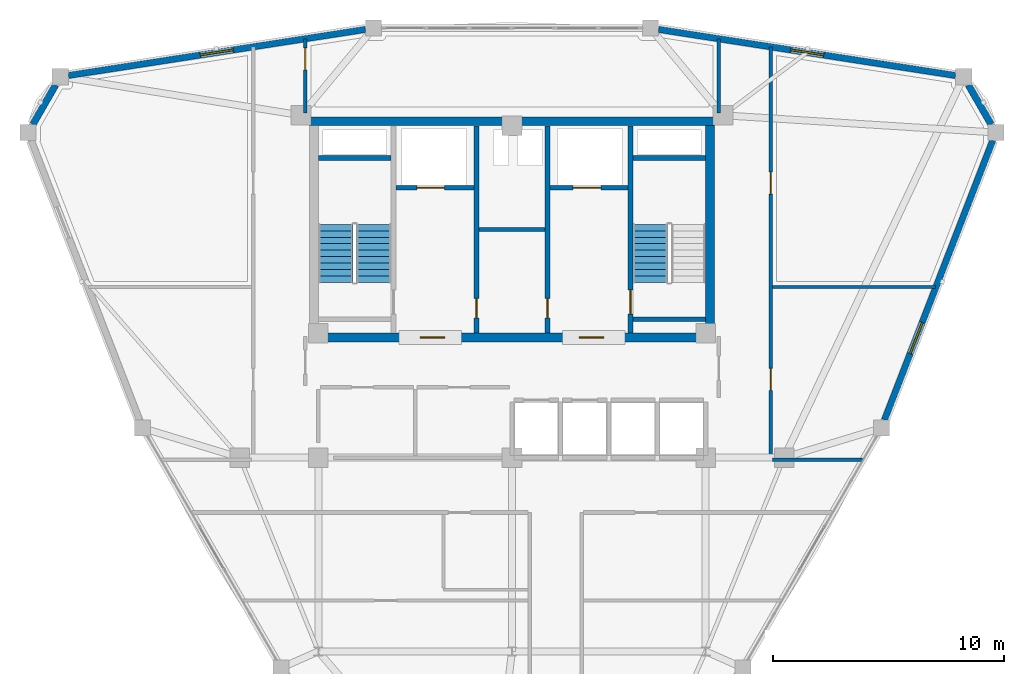
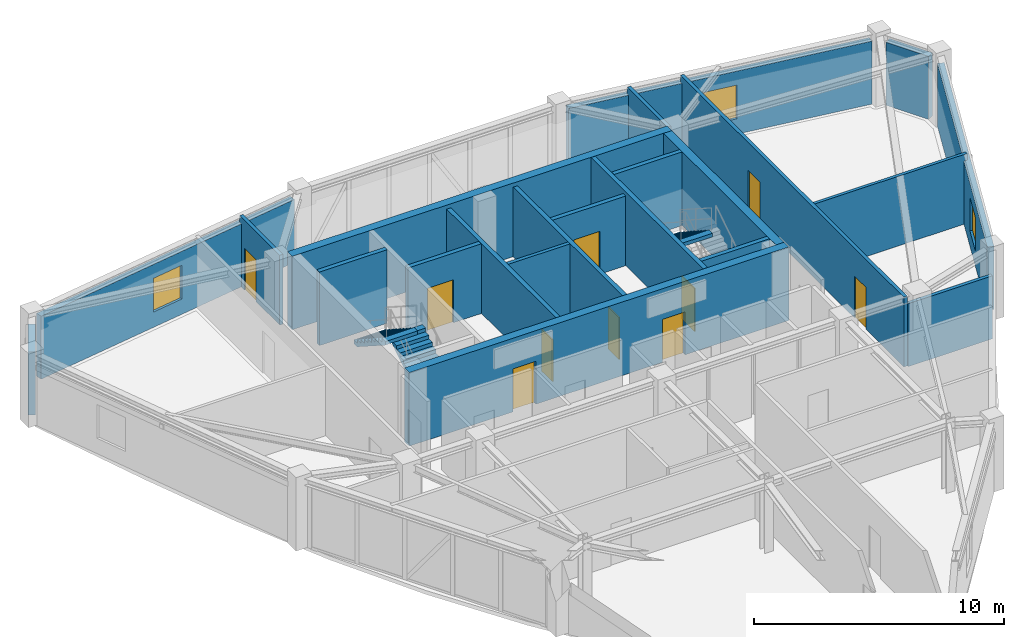
# One storey, part 12 of 15: 22 walls, 10 doors, 3 stair flights, 3 windows, 13 openings, 2 elements without a shape of their own.
"""IFC4 building model written with IfcOpenShell, lengths in metres."""

from ifc_helpers import new_model, si_unit, derived_unit, direction, frame, frame_2d, origin, place, context, subcontext, project, spatial, polyline, rectangle, outline, extrude, material, layer, layer_set, type_object, element, fill, aggregate, save


model = new_model("IFC4")

# Units and contexts
model_context = context("Model", 3, precision=1e-05, world=origin(), true_north=direction((0.0, 1.0)))
body_context = subcontext(model_context, "Body", "Model", "MODEL_VIEW")
ifc_project = project(units=[si_unit("LENGTHUNIT", "METRE"), si_unit("AREAUNIT", "SQUARE_METRE"), si_unit("VOLUMEUNIT", "CUBIC_METRE"), si_unit("PLANEANGLEUNIT", "RADIAN"), si_unit("MASSUNIT", "GRAM", prefix="KILO"), derived_unit("THERMALTRANSMITTANCEUNIT", [(si_unit("POWERUNIT", "WATT"), 1), (si_unit("LENGTHUNIT", "METRE"), -2), (si_unit("THERMODYNAMICTEMPERATUREUNIT", "KELVIN"), -1)])], contexts=[model_context])

# Site, building, storey
site_placement = place(None, origin())
site = spatial("IfcSite", under=ifc_project, at=site_placement, CompositionType="ELEMENT")
building_placement = place(site_placement, origin())
building = spatial("IfcBuilding", under=site, at=building_placement, Name="Korsvarv Bourse and Concert Hall", CompositionType="ELEMENT")
storey_placement = place(building_placement, frame((0.0, 0.0, 246.60009765625)))
storey = spatial("IfcBuildingStorey", under=building, at=storey_placement, Name="L64", CompositionType="ELEMENT", Elevation=246.60009765625)

# Wall
ifc_material_1 = material(Name="Concrete C50/60", Category="concrete")
ifc_layer_1 = layer(ifc_material_1, 0.3798828125)
ifc_layer_set_1 = layer_set([ifc_layer_1], Name="Concrete C50/60")
wall_type_1 = type_object("IfcWallType", Name="WL-CORE-380", PredefinedType="SHEAR", material=ifc_layer_set_1)
wall_1_placement = place(storey_placement, frame((27.219970703125, 46.989990234375, 0.0), z_axis=(0.0, 0.0, 1.0), x_axis=(1.0, 0.0, 0.0)))
element("IfcWall", 1, at=wall_1_placement, inside=storey, type_object=wall_type_1, Name="L64 North Core Shear Wall", PredefinedType="SHEAR", context=body_context, shape_type="SweptSolid", body=[
    extrude(rectangle(XDim=17.56005859375, YDim=0.3798828125, at=frame_2d((8.780029296875, 0.0))), origin(), (0.0, 0.0, 1.0), 3.599853515625),
])

# Wall, openings, doors
wall_2_placement = place(storey_placement, frame((27.219970703125, 37.610107421875, 0.0), z_axis=(0.0, 0.0, 1.0), x_axis=(1.0, 0.0, 0.0)))
wall_2 = element("IfcWall", 2, at=wall_2_placement, inside=storey, type_object=wall_type_1, Name="L64 South Core Shear Wall", PredefinedType="SHEAR", context=body_context, shape_type="SweptSolid", body=[
    extrude(rectangle(XDim=17.56005859375, YDim=0.3798828125, at=frame_2d((8.780029296875, 0.0))), origin(), (0.0, 0.0, 1.0), 3.599853515625),
])
opening_1_placement = place(wall_2_placement, frame((4.804931640625, 0.0, 0.0)))
opening_1 = element("IfcOpeningElement", 3, at=opening_1_placement, cuts=wall_2, Name="Opening D-01", PredefinedType="OPENING", context=body_context, shape_type="SweptSolid", body=[
    extrude(rectangle(XDim=1.050048828125, YDim=2.10009765625, at=frame_2d((0.52490234375, 1.050048828125))), frame((0.0, 0.199951171875, 0.0), z_axis=(0.0, -1.0, 0.0), x_axis=(1.0, 0.0, 0.0)), (0.0, 0.0, 1.0), 0.39990234375),
])
opening_2_placement = place(wall_2_placement, frame((11.705078125, 0.0, 0.0)))
opening_2 = element("IfcOpeningElement", 4, at=opening_2_placement, cuts=wall_2, Name="Opening D-01", PredefinedType="OPENING", context=body_context, shape_type="SweptSolid", body=[
    extrude(rectangle(XDim=1.050048828125, YDim=2.10009765625, at=frame_2d((0.52490234375, 1.050048828125))), frame((0.0, 0.199951171875, 0.0), z_axis=(0.0, -1.0, 0.0), x_axis=(1.0, 0.0, 0.0)), (0.0, 0.0, 1.0), 0.39990234375),
])
ifc_material_2 = material(Name="Steel S355 fire door", Category="steel")
door_type_1 = type_object("IfcDoorType", Name="DR-FD60", OperationType="NOTDEFINED", PredefinedType="DOOR", material=ifc_material_2)
door_1_placement = place(opening_1_placement, frame((1.050048828125, 0.0, 0.0), z_axis=(0.0, 0.0, 1.0), x_axis=(-1.0, 0.0, 0.0)))
door_1 = element("IfcDoor", 5, at=door_1_placement, inside=storey, type_object=door_type_1, Name="L64 firefighting lobby fire door DR-L64-FFLW", OperationType="SINGLE_SWING_RIGHT", OverallHeight=2.10009765625, OverallWidth=1.050048828125, PredefinedType="DOOR", context=body_context, shape_type="SweptSolid", body=[
    extrude(rectangle(XDim=1.050048828125, YDim=2.10009765625, at=frame_2d((0.52490234375, 1.050048828125))), frame((0.0, 0.02490234375, 0.0), z_axis=(0.0, -1.0, 0.0), x_axis=(1.0, 0.0, 0.0)), (0.0, 0.0, 1.0), 0.050048828125),
])
fill(opening_1, door_1)
door_2_placement = place(opening_2_placement, frame((1.050048828125, 0.0, 0.0), z_axis=(0.0, 0.0, 1.0), x_axis=(-1.0, 0.0, 0.0)))
door_2 = element("IfcDoor", 6, at=door_2_placement, inside=storey, type_object=door_type_1, Name="L64 firefighting lobby fire door DR-L64-FFLE", OperationType="SINGLE_SWING_LEFT", OverallHeight=2.10009765625, OverallWidth=1.050048828125, PredefinedType="DOOR", context=body_context, shape_type="SweptSolid", body=[
    extrude(rectangle(XDim=1.050048828125, YDim=2.10009765625, at=frame_2d((0.52490234375, 1.050048828125))), frame((0.0, 0.02490234375, 0.0), z_axis=(0.0, -1.0, 0.0), x_axis=(1.0, 0.0, 0.0)), (0.0, 0.0, 1.0), 0.050048828125),
])
fill(opening_2, door_2)

# Walls
wall_3_placement = place(storey_placement, frame((44.590087890625, 37.800048828125, 0.0), z_axis=(0.0, 0.0, 1.0), x_axis=(0.0, 1.0, 0.0)))
element("IfcWall", 7, at=wall_3_placement, inside=storey, type_object=wall_type_1, Name="L64 East Core Shear Wall", PredefinedType="SHEAR", context=body_context, shape_type="SweptSolid", body=[
    extrude(rectangle(XDim=9.0, YDim=0.3798828125, at=frame_2d((4.5, 0.0))), origin(), (0.0, 0.0, 1.0), 3.599853515625),
])
wall_4_placement = place(storey_placement, frame((27.610107421875, 45.39990234375, 0.0), z_axis=(0.0, 0.0, 1.0), x_axis=(1.0, 0.0, 0.0)))
element("IfcWall", 8, at=wall_4_placement, inside=storey, type_object=wall_type_1, Name="L64 stair shaft structural wall W-L64-ST1-N", PredefinedType="SHEAR", context=body_context, shape_type="SweptSolid", body=[
    extrude(rectangle(XDim=3.139892578125, YDim=0.199951171875, at=frame_2d((1.56982421875, 0.0))), origin(), (0.0, 0.0, 1.0), 3.599853515625),
])

# Wall, opening, door
wall_5_placement = place(storey_placement, frame((41.139892578125, 37.81005859375, 0.0), z_axis=(0.0, 0.0, 1.0), x_axis=(0.0, 1.0, 0.0)))
wall_5 = element("IfcWall", 9, at=wall_5_placement, inside=storey, type_object=wall_type_1, Name="L64 stair shaft structural wall W-L64-ST2-W", PredefinedType="SHEAR", context=body_context, shape_type="SweptSolid", body=[
    extrude(rectangle(XDim=8.97998046875, YDim=0.199951171875, at=frame_2d((4.489990234375, 0.0))), origin(), (0.0, 0.0, 1.0), 3.599853515625),
])
opening_3_placement = place(wall_5_placement, frame((0.820068359375, 0.0, 0.0)))
opening_3 = element("IfcOpeningElement", 10, at=opening_3_placement, cuts=wall_5, Name="Opening D-01", PredefinedType="OPENING", context=body_context, shape_type="SweptSolid", body=[
    extrude(rectangle(XDim=1.050048828125, YDim=2.10009765625, at=frame_2d((0.52490234375, 1.050048828125))), frame((0.0, 0.10986328125, 0.0), z_axis=(0.0, -1.0, 0.0), x_axis=(1.0, 0.0, 0.0)), (0.0, 0.0, 1.0), 0.219970703125),
])
door_3_placement = place(opening_3_placement, frame((1.050048828125, 0.0, 0.0), z_axis=(0.0, 0.0, 1.0), x_axis=(-1.0, 0.0, 0.0)))
door_3 = element("IfcDoor", 11, at=door_3_placement, inside=storey, type_object=door_type_1, Name="L64 interior door DR-L64-ST2", OperationType="SINGLE_SWING_LEFT", OverallHeight=2.10009765625, OverallWidth=1.050048828125, PredefinedType="DOOR", context=body_context, shape_type="SweptSolid", body=[
    extrude(rectangle(XDim=1.050048828125, YDim=2.10009765625, at=frame_2d((0.52490234375, 1.050048828125))), frame((0.0, 0.02490234375, 0.0), z_axis=(0.0, -1.0, 0.0), x_axis=(1.0, 0.0, 0.0)), (0.0, 0.0, 1.0), 0.050048828125),
])
fill(opening_3, door_3)

# Walls
for number, where, z_axis, x_axis, name in (
    (12, (41.25, 45.39990234375, 0.0), (0.0, 0.0, 1.0), (1.0, 0.0, 0.0), "L64 stair shaft structural wall W-L64-ST2-N"),
    (13, (41.25, 38.39990234375, 0.0), (0.0, 0.0, 1.0), (1.0, 0.0, 0.0), "L64 stair shaft structural wall W-L64-ST2-S"),
):
    element("IfcWall", number, at=place(storey_placement, frame(where, z_axis=z_axis, x_axis=x_axis)), inside=storey, type_object=wall_type_1, Name=name, PredefinedType="SHEAR", context=body_context, shape_type="SweptSolid", body=[
        extrude(rectangle(XDim=3.139892578125, YDim=0.199951171875, at=frame_2d((1.56982421875, 0.0))), origin(), (0.0, 0.0, 1.0), 3.599853515625),
    ])
ifc_material_3 = material(Name="Precast concrete C45/55 with terracotta rainscreen", Category="concrete")
ifc_layer_2 = layer(ifc_material_3, 0.300048828125)
ifc_layer_set_2 = layer_set([ifc_layer_2], Name="Precast concrete C45/55 with terracotta rainscreen")
wall_type_2 = type_object("IfcWallType", Name="WL-EXT-TC1", PredefinedType="SOLIDWALL", material=ifc_layer_set_2)
for number, where, z_axis, x_axis, name in (
    (14, (56.78271484375, 46.858642578125, 0.0), (0.0, 0.0, 1.0), (-0.499915072674, 0.866074431047, 0.0), "L64 terracotta exterior wall EW-L64-B01"),
    (15, (16.20458984375, 48.569091796875, 0.0), (0.0, 0.0, 1.0), (-0.499915072674, -0.866074431047, 0.0), "L64 terracotta exterior wall EW-L64-B05"),
):
    element("IfcWall", number, at=place(storey_placement, frame(where, z_axis=z_axis, x_axis=x_axis)), inside=storey, type_object=wall_type_2, Name=name, PredefinedType="SOLIDWALL", context=body_context, shape_type="SweptSolid", body=[
        extrude(rectangle(XDim=1.974853515625, YDim=0.300048828125, at=frame_2d((0.9873046875, 0.0))), origin(), (0.0, 0.0, 1.0), 3.079833984375),
    ])

# Wall, opening, window
ifc_material_4 = material(Name="Precast concrete C45/55 with fluted terracotta pier", Category="concrete")
ifc_layer_3 = layer(ifc_material_4, 0.280029296875)
ifc_layer_set_3 = layer_set([ifc_layer_3], Name="Precast concrete C45/55 with fluted terracotta pier")
wall_type_3 = type_object("IfcWallType", Name="WL-EXT-TC2", PredefinedType="SOLIDWALL", material=ifc_layer_set_3)
wall_6_placement = place(storey_placement, frame((55.2353515625, 48.979248046875, 0.0), z_axis=(0.0, 0.0, 1.0), x_axis=(-0.988170476673, 0.153359411293, 0.0)))
wall_6 = element("IfcWall", 16, at=wall_6_placement, inside=storey, type_object=wall_type_3, Name="L64 terracotta exterior wall EW-L64-B02", PredefinedType="SOLIDWALL", context=body_context, shape_type="SweptSolid", body=[
    extrude(rectangle(XDim=13.030029296875, YDim=0.280029296875, at=frame_2d((6.51513671875, 0.0))), origin(), (0.0, 0.0, 1.0), 3.079833984375),
])
opening_4_placement = place(wall_6_placement, frame((5.7900390625, 0.0, 0.75)))
opening_4 = element("IfcOpeningElement", 17, at=opening_4_placement, cuts=wall_6, Name="Opening W-02", PredefinedType="OPENING", context=body_context, shape_type="SweptSolid", body=[
    extrude(rectangle(XDim=1.449951171875, YDim=1.64990234375, at=frame_2d((0.72509765625, 0.824951171875))), frame((0.0, 0.14990234375, 0.0), z_axis=(0.0, -1.0, 0.0), x_axis=(1.0, 0.0, 0.0)), (0.0, 0.0, 1.0), 0.300048828125),
])
ifc_material_5 = material(Name="Thermally broken aluminium frame with triple low-E glass", Category="glass")
window_type = type_object("IfcWindowType", Name="WIN-TW2", PartitioningType="SINGLE_PANEL", PredefinedType="WINDOW", material=ifc_material_5)
window_1_placement = place(opening_4_placement, origin())
window_1 = element("IfcWindow", 18, at=window_1_placement, inside=storey, type_object=window_type, Name="L64 punched facade window W-02", OverallHeight=1.64990234375, OverallWidth=1.449951171875, PartitioningType="SINGLE_PANEL", PredefinedType="WINDOW", context=body_context, shape_type="SweptSolid", body=[
    extrude(rectangle(XDim=1.449951171875, YDim=1.64990234375, at=frame_2d((0.72509765625, 0.824951171875))), frame((0.0, 0.030029296875, 0.0), z_axis=(0.0, -1.0, 0.0), x_axis=(1.0, 0.0, 0.0)), (0.0, 0.0, 1.0), 0.06005859375),
])
fill(opening_4, window_1)

wall_7_placement = place(storey_placement, frame((29.640625, 50.9775390625, 0.0), z_axis=(0.0, 0.0, 1.0), x_axis=(-0.988170476673, -0.153359411293, 0.0)))
wall_7 = element("IfcWall", 19, at=wall_7_placement, inside=storey, type_object=wall_type_3, Name="L64 terracotta exterior wall EW-L64-B04", PredefinedType="SOLIDWALL", context=body_context, shape_type="SweptSolid", body=[
    extrude(rectangle(XDim=13.030029296875, YDim=0.280029296875, at=frame_2d((6.51513671875, 0.0))), origin(), (0.0, 0.0, 1.0), 3.079833984375),
])
opening_5_placement = place(wall_7_placement, frame((5.7900390625, 0.0, 0.75)))
opening_5 = element("IfcOpeningElement", 20, at=opening_5_placement, cuts=wall_7, Name="Opening W-02", PredefinedType="OPENING", context=body_context, shape_type="SweptSolid", body=[
    extrude(rectangle(XDim=1.449951171875, YDim=1.64990234375, at=frame_2d((0.72509765625, 0.824951171875))), frame((0.0, 0.14990234375, 0.0), z_axis=(0.0, -1.0, 0.0), x_axis=(1.0, 0.0, 0.0)), (0.0, 0.0, 1.0), 0.300048828125),
])
window_2_placement = place(opening_5_placement, origin())
window_2 = element("IfcWindow", 21, at=window_2_placement, inside=storey, type_object=window_type, Name="L64 punched facade window W-02", OverallHeight=1.64990234375, OverallWidth=1.449951171875, PartitioningType="SINGLE_PANEL", PredefinedType="WINDOW", context=body_context, shape_type="SweptSolid", body=[
    extrude(rectangle(XDim=1.449951171875, YDim=1.64990234375, at=frame_2d((0.72509765625, 0.824951171875))), frame((0.0, 0.030029296875, 0.0), z_axis=(0.0, -1.0, 0.0), x_axis=(1.0, 0.0, 0.0)), (0.0, 0.0, 1.0), 0.06005859375),
])
fill(opening_5, window_2)

wall_8_placement = place(storey_placement, frame((52.158447265625, 34.03857421875, 0.0), z_axis=(0.0, 0.0, 1.0), x_axis=(0.361269378379, 0.93246149317, 0.0)))
wall_8 = element("IfcWall", 22, at=wall_8_placement, inside=storey, type_object=wall_type_3, Name="L64 terracotta exterior wall EW-L64-B12", PredefinedType="SOLIDWALL", context=body_context, shape_type="SweptSolid", body=[
    extrude(rectangle(XDim=12.9873046875, YDim=0.280029296875, at=frame_2d((6.49365234375, 0.0))), origin(), (0.0, 0.0, 1.0), 3.079833984375),
])
opening_6_placement = place(wall_8_placement, frame((3.084228515625, 0.0, 0.75)))
opening_6 = element("IfcOpeningElement", 23, at=opening_6_placement, cuts=wall_8, Name="Opening W-02", PredefinedType="OPENING", context=body_context, shape_type="SweptSolid", body=[
    extrude(rectangle(XDim=1.449951171875, YDim=1.64990234375, at=frame_2d((0.72509765625, 0.824951171875))), frame((0.0, 0.14990234375, 0.0), z_axis=(0.0, -1.0, 0.0), x_axis=(1.0, 0.0, 0.0)), (0.0, 0.0, 1.0), 0.300048828125),
])
window_3_placement = place(opening_6_placement, origin())
window_3 = element("IfcWindow", 24, at=window_3_placement, inside=storey, type_object=window_type, Name="L64 punched facade window W-02", OverallHeight=1.64990234375, OverallWidth=1.449951171875, PartitioningType="SINGLE_PANEL", PredefinedType="WINDOW", context=body_context, shape_type="SweptSolid", body=[
    extrude(rectangle(XDim=1.449951171875, YDim=1.64990234375, at=frame_2d((0.72509765625, 0.824951171875))), frame((0.0, 0.030029296875, 0.0), z_axis=(0.0, -1.0, 0.0), x_axis=(1.0, 0.0, 0.0)), (0.0, 0.0, 1.0), 0.06005859375),
])
fill(opening_6, window_3)

# Wall, opening, door
ifc_material_6 = material(Name="Reinforced concrete blockwork C35/45 fire wall", Category="concrete")
ifc_layer_4 = layer(ifc_material_6, 0.199951171875)
ifc_layer_set_4 = layer_set([ifc_layer_4], Name="Reinforced concrete blockwork C35/45 fire wall")
wall_type_4 = type_object("IfcWallType", Name="WL-INT-EI120", PredefinedType="PARTITIONING", material=ifc_layer_set_4)
wall_9_placement = place(storey_placement, frame((30.969970703125, 44.10009765625, 0.0), z_axis=(0.0, 0.0, 1.0), x_axis=(1.0, 0.0, 0.0)))
wall_9 = element("IfcWall", 25, at=wall_9_placement, inside=storey, type_object=wall_type_4, Name="L64 interior partition wall W-L64-FF1-S", PredefinedType="PARTITIONING", context=body_context, shape_type="SweptSolid", body=[
    extrude(rectangle(XDim=3.380126953125, YDim=0.199951171875, at=frame_2d((1.68994140625, 0.0))), origin(), (0.0, 0.0, 1.0), 3.409912109375),
])
opening_7_placement = place(wall_9_placement, frame((0.89990234375, 0.0, 0.0)))
opening_7 = element("IfcOpeningElement", 26, at=opening_7_placement, cuts=wall_9, Name="Opening LD-1", PredefinedType="OPENING", context=body_context, shape_type="SweptSolid", body=[
    extrude(rectangle(XDim=1.199951171875, YDim=2.10009765625, at=frame_2d((0.60009765625, 1.050048828125))), frame((0.0, 0.10986328125, 0.0), z_axis=(0.0, -1.0, 0.0), x_axis=(1.0, 0.0, 0.0)), (0.0, 0.0, 1.0), 0.219970703125),
])
ifc_material_7 = material(Name="Stainless Steel S355 firefighting lift landing door", Category="steel")
door_type_2 = type_object("IfcDoorType", Name="DR-LIFT-FF", OperationType="DOUBLE_DOOR_SLIDING", PredefinedType="DOOR", material=ifc_material_7)
door_4_placement = place(opening_7_placement, origin())
door_4 = element("IfcDoor", 27, at=door_4_placement, inside=storey, type_object=door_type_2, Name="L64 lift sliding landing door LD-L64-FF1", OperationType="DOUBLE_DOOR_SLIDING", OverallHeight=2.10009765625, OverallWidth=1.199951171875, PredefinedType="DOOR", context=body_context, shape_type="SweptSolid", body=[
    extrude(rectangle(XDim=1.199951171875, YDim=2.10009765625, at=frame_2d((0.60009765625, 1.050048828125))), frame((0.0, 0.02490234375, 0.0), z_axis=(0.0, -1.0, 0.0), x_axis=(1.0, 0.0, 0.0)), (0.0, 0.0, 1.0), 0.050048828125),
])
fill(opening_7, door_4)

wall_10_placement = place(storey_placement, frame((37.64990234375, 44.10009765625, 0.0), z_axis=(0.0, 0.0, 1.0), x_axis=(1.0, 0.0, 0.0)))
wall_10 = element("IfcWall", 28, at=wall_10_placement, inside=storey, type_object=wall_type_4, Name="L64 interior partition wall W-L64-FF2-S", PredefinedType="PARTITIONING", context=body_context, shape_type="SweptSolid", body=[
    extrude(rectangle(XDim=3.380126953125, YDim=0.199951171875, at=frame_2d((1.68994140625, 0.0))), origin(), (0.0, 0.0, 1.0), 3.409912109375),
])
opening_8_placement = place(wall_10_placement, frame((1.0, 0.0, 0.0)))
opening_8 = element("IfcOpeningElement", 29, at=opening_8_placement, cuts=wall_10, Name="Opening LD-1", PredefinedType="OPENING", context=body_context, shape_type="SweptSolid", body=[
    extrude(rectangle(XDim=1.199951171875, YDim=2.10009765625, at=frame_2d((0.60009765625, 1.050048828125))), frame((0.0, 0.10986328125, 0.0), z_axis=(0.0, -1.0, 0.0), x_axis=(1.0, 0.0, 0.0)), (0.0, 0.0, 1.0), 0.219970703125),
])
door_5_placement = place(opening_8_placement, origin())
door_5 = element("IfcDoor", 30, at=door_5_placement, inside=storey, type_object=door_type_2, Name="L64 lift sliding landing door LD-L64-FF2", OperationType="DOUBLE_DOOR_SLIDING", OverallHeight=2.10009765625, OverallWidth=1.199951171875, PredefinedType="DOOR", context=body_context, shape_type="SweptSolid", body=[
    extrude(rectangle(XDim=1.199951171875, YDim=2.10009765625, at=frame_2d((0.60009765625, 1.050048828125))), frame((0.0, 0.02490234375, 0.0), z_axis=(0.0, -1.0, 0.0), x_axis=(1.0, 0.0, 0.0)), (0.0, 0.0, 1.0), 0.050048828125),
])
fill(opening_8, door_5)

wall_11_placement = place(storey_placement, frame((34.4599609375, 37.81005859375, 0.0), z_axis=(0.0, 0.0, 1.0), x_axis=(0.0, 1.0, 0.0)))
wall_11 = element("IfcWall", 31, at=wall_11_placement, inside=storey, type_object=wall_type_4, Name="L64 interior partition wall W-L64-CSB-W", PredefinedType="PARTITIONING", context=body_context, shape_type="SweptSolid", body=[
    extrude(rectangle(XDim=8.97998046875, YDim=0.199951171875, at=frame_2d((4.489990234375, 0.0))), origin(), (0.0, 0.0, 1.0), 3.409912109375),
])
opening_9_placement = place(wall_11_placement, frame((0.64990234375, 0.0, 0.0)))
opening_9 = element("IfcOpeningElement", 32, at=opening_9_placement, cuts=wall_11, Name="Opening D-05", PredefinedType="OPENING", context=body_context, shape_type="SweptSolid", body=[
    extrude(rectangle(XDim=0.85009765625, YDim=2.050048828125, at=frame_2d((0.425048828125, 1.02490234375))), frame((0.0, 0.10986328125, 0.0), z_axis=(0.0, -1.0, 0.0), x_axis=(1.0, 0.0, 0.0)), (0.0, 0.0, 1.0), 0.219970703125),
])
door_type_3 = type_object("IfcDoorType", Name="DR-FD60-850X2050", OperationType="NOTDEFINED", PredefinedType="DOOR", material=ifc_material_2)
door_6_placement = place(opening_9_placement, frame((0.85009765625, 0.0, 0.0), z_axis=(0.0, 0.0, 1.0), x_axis=(-1.0, 0.0, 0.0)))
door_6 = element("IfcDoor", 33, at=door_6_placement, inside=storey, type_object=door_type_3, Name="L64 interior door DR-L64-CSB1", OperationType="SINGLE_SWING_RIGHT", OverallHeight=2.050048828125, OverallWidth=0.85009765625, PredefinedType="DOOR", context=body_context, shape_type="SweptSolid", body=[
    extrude(rectangle(XDim=0.85009765625, YDim=2.050048828125, at=frame_2d((0.425048828125, 1.02490234375))), frame((0.0, 0.02490234375, 0.0), z_axis=(0.0, -1.0, 0.0), x_axis=(1.0, 0.0, 0.0)), (0.0, 0.0, 1.0), 0.050048828125),
])
fill(opening_9, door_6)

wall_12_placement = place(storey_placement, frame((37.5400390625, 37.81005859375, 0.0), z_axis=(0.0, 0.0, 1.0), x_axis=(0.0, 1.0, 0.0)))
wall_12 = element("IfcWall", 34, at=wall_12_placement, inside=storey, type_object=wall_type_4, Name="L64 interior partition wall W-L64-CSB-E", PredefinedType="PARTITIONING", context=body_context, shape_type="SweptSolid", body=[
    extrude(rectangle(XDim=8.97998046875, YDim=0.199951171875, at=frame_2d((4.489990234375, 0.0))), origin(), (0.0, 0.0, 1.0), 3.409912109375),
])
opening_10_placement = place(wall_12_placement, frame((0.64990234375, 0.0, 0.0)))
opening_10 = element("IfcOpeningElement", 35, at=opening_10_placement, cuts=wall_12, Name="Opening D-05", PredefinedType="OPENING", context=body_context, shape_type="SweptSolid", body=[
    extrude(rectangle(XDim=0.85009765625, YDim=2.050048828125, at=frame_2d((0.425048828125, 1.02490234375))), frame((0.0, 0.10986328125, 0.0), z_axis=(0.0, -1.0, 0.0), x_axis=(1.0, 0.0, 0.0)), (0.0, 0.0, 1.0), 0.219970703125),
])
door_7_placement = place(opening_10_placement, origin())
door_7 = element("IfcDoor", 36, at=door_7_placement, inside=storey, type_object=door_type_3, Name="L64 interior door DR-L64-CSB2", OperationType="SINGLE_SWING_LEFT", OverallHeight=2.050048828125, OverallWidth=0.85009765625, PredefinedType="DOOR", context=body_context, shape_type="SweptSolid", body=[
    extrude(rectangle(XDim=0.85009765625, YDim=2.050048828125, at=frame_2d((0.425048828125, 1.02490234375))), frame((0.0, 0.02490234375, 0.0), z_axis=(0.0, -1.0, 0.0), x_axis=(1.0, 0.0, 0.0)), (0.0, 0.0, 1.0), 0.050048828125),
])
fill(opening_10, door_7)

# Wall
ifc_material_8 = material(Name="Double-stud fire-rated acoustic partition", Category="gypsum")
ifc_layer_5 = layer(ifc_material_8, 0.159912109375)
ifc_layer_set_5 = layer_set([ifc_layer_5], Name="Double-stud fire-rated acoustic partition")
wall_type_5 = type_object("IfcWallType", Name="WL-INT-EI60", PredefinedType="PARTITIONING", material=ifc_layer_set_5)
wall_13_placement = place(storey_placement, frame((34.570068359375, 42.300048828125, 0.0), z_axis=(0.0, 0.0, 1.0), x_axis=(1.0, 0.0, 0.0)))
element("IfcWall", 37, at=wall_13_placement, inside=storey, type_object=wall_type_5, Name="L64 interior partition wall W-L64-K1", PredefinedType="PARTITIONING", context=body_context, shape_type="SweptSolid", body=[
    extrude(rectangle(XDim=2.85986328125, YDim=0.159912109375, at=frame_2d((1.429931640625, 0.0))), origin(), (0.0, 0.0, 1.0), 3.409912109375),
])

# Wall, openings, doors
wall_14_placement = place(storey_placement, frame((47.22509765625, 32.31005859375, 0.0), z_axis=(0.0, 0.0, 1.0), x_axis=(0.0, 1.0, 0.0)))
wall_14 = element("IfcWall", 38, at=wall_14_placement, inside=storey, type_object=wall_type_5, Name="L64 interior partition wall W-L64-TCOR-01", PredefinedType="PARTITIONING", context=body_context, shape_type="SweptSolid", body=[
    extrude(rectangle(XDim=17.892333984375, YDim=0.159912109375, at=frame_2d((8.9462890625, 0.0))), origin(), (0.0, 0.0, 1.0), 3.409912109375),
])
opening_11_placement = place(wall_14_placement, frame((3.01416015625, 0.0, 0.0)))
opening_11 = element("IfcOpeningElement", 39, at=opening_11_placement, cuts=wall_14, Name="Opening D-02", PredefinedType="OPENING", context=body_context, shape_type="SweptSolid", body=[
    extrude(rectangle(XDim=0.949951171875, YDim=2.050048828125, at=frame_2d((0.47509765625, 1.02490234375))), frame((0.0, 0.08984375, 0.0), z_axis=(0.0, -1.0, 0.0), x_axis=(1.0, 0.0, 0.0)), (0.0, 0.0, 1.0), 0.179931640625),
])
opening_12_placement = place(wall_14_placement, frame((11.52392578125, 0.0, 0.0)))
opening_12 = element("IfcOpeningElement", 40, at=opening_12_placement, cuts=wall_14, Name="Opening D-02", PredefinedType="OPENING", context=body_context, shape_type="SweptSolid", body=[
    extrude(rectangle(XDim=0.949951171875, YDim=2.050048828125, at=frame_2d((0.47509765625, 1.02490234375))), frame((0.0, 0.08984375, 0.0), z_axis=(0.0, -1.0, 0.0), x_axis=(1.0, 0.0, 0.0)), (0.0, 0.0, 1.0), 0.179931640625),
])
ifc_material_9 = material(Name="Timber and steel acoustic fire door", Category="wood")
door_type_4 = type_object("IfcDoorType", Name="DR-FD30", OperationType="NOTDEFINED", PredefinedType="DOOR", material=ifc_material_9)
door_8_placement = place(opening_11_placement, origin())
door_8 = element("IfcDoor", 41, at=door_8_placement, inside=storey, type_object=door_type_4, Name="L64 interior door DR-L64-TCOR-GKT1", OperationType="SINGLE_SWING_RIGHT", OverallHeight=2.050048828125, OverallWidth=0.949951171875, PredefinedType="DOOR", context=body_context, shape_type="SweptSolid", body=[
    extrude(rectangle(XDim=0.949951171875, YDim=2.050048828125, at=frame_2d((0.47509765625, 1.02490234375))), frame((0.0, 0.02490234375, 0.0), z_axis=(0.0, -1.0, 0.0), x_axis=(1.0, 0.0, 0.0)), (0.0, 0.0, 1.0), 0.050048828125),
])
fill(opening_11, door_8)
door_9_placement = place(opening_12_placement, origin())
door_9 = element("IfcDoor", 42, at=door_9_placement, inside=storey, type_object=door_type_4, Name="L64 interior door DR-L64-TCOR-GB32", OperationType="SINGLE_SWING_LEFT", OverallHeight=2.050048828125, OverallWidth=0.949951171875, PredefinedType="DOOR", context=body_context, shape_type="SweptSolid", body=[
    extrude(rectangle(XDim=0.949951171875, YDim=2.050048828125, at=frame_2d((0.47509765625, 1.02490234375))), frame((0.0, 0.02490234375, 0.0), z_axis=(0.0, -1.0, 0.0), x_axis=(1.0, 0.0, 0.0)), (0.0, 0.0, 1.0), 0.050048828125),
])
fill(opening_12, door_9)

# Wall
wall_15_placement = place(storey_placement, frame((47.306884765625, 32.31494140625, 0.0), z_axis=(0.0, 0.0, 1.0), x_axis=(1.0, 0.0, 0.0)))
element("IfcWall", 43, at=wall_15_placement, inside=storey, type_object=wall_type_5, Name="L64 interior partition wall W-L64-TCOR-08", PredefinedType="PARTITIONING", context=body_context, shape_type="SweptSolid", body=[
    extrude(rectangle(XDim=3.90380859375, YDim=0.159912109375, at=frame_2d((1.951904296875, 0.0))), origin(), (0.0, 0.0, 1.0), 3.079833984375),
])

# Wall, opening, door
wall_16_placement = place(storey_placement, frame((27.034912109375, 47.340087890625, 0.0), z_axis=(0.0, 0.0, 1.0), x_axis=(0.0, 1.0, 0.0)))
wall_16 = element("IfcWall", 44, at=wall_16_placement, inside=storey, type_object=wall_type_5, Name="L64 interior partition wall W-L64-TCOR-09", PredefinedType="PARTITIONING", context=body_context, shape_type="SweptSolid", body=[
    extrude(rectangle(XDim=3.213134765625, YDim=0.159912109375, at=frame_2d((1.6064453125, 0.0))), origin(), (0.0, 0.0, 1.0), 3.409912109375),
])
opening_13_placement = place(wall_16_placement, frame((1.88330078125, 0.0, 0.0)))
opening_13 = element("IfcOpeningElement", 45, at=opening_13_placement, cuts=wall_16, Name="Opening D-02", PredefinedType="OPENING", context=body_context, shape_type="SweptSolid", body=[
    extrude(rectangle(XDim=0.949951171875, YDim=2.050048828125, at=frame_2d((0.47509765625, 1.02490234375))), frame((0.0, 0.08984375, 0.0), z_axis=(0.0, -1.0, 0.0), x_axis=(1.0, 0.0, 0.0)), (0.0, 0.0, 1.0), 0.179931640625),
])
door_10_placement = place(opening_13_placement, origin())
door_10 = element("IfcDoor", 46, at=door_10_placement, inside=storey, type_object=door_type_4, Name="L64 interior door DR-L64-TCOR-RM55", OperationType="SINGLE_SWING_RIGHT", OverallHeight=2.050048828125, OverallWidth=0.949951171875, PredefinedType="DOOR", context=body_context, shape_type="SweptSolid", body=[
    extrude(rectangle(XDim=0.949951171875, YDim=2.050048828125, at=frame_2d((0.47509765625, 1.02490234375))), frame((0.0, 0.02490234375, 0.0), z_axis=(0.0, -1.0, 0.0), x_axis=(1.0, 0.0, 0.0)), (0.0, 0.0, 1.0), 0.050048828125),
])
fill(opening_13, door_10)

# Walls
wall_17_placement = place(storey_placement, frame((44.965087890625, 47.340087890625, 0.0), z_axis=(0.0, 0.0, 1.0), x_axis=(0.0, 1.0, 0.0)))
element("IfcWall", 47, at=wall_17_placement, inside=storey, type_object=wall_type_5, Name="L64 interior partition wall W-L64-TCOR-10", PredefinedType="PARTITIONING", context=body_context, shape_type="SweptSolid", body=[
    extrude(rectangle(XDim=3.213134765625, YDim=0.159912109375, at=frame_2d((1.6064453125, 0.0))), origin(), (0.0, 0.0, 1.0), 3.409912109375),
])
ifc_material_10 = material(Name="Insulated steel-stud office acoustic partition", Category="gypsum")
ifc_layer_6 = layer(ifc_material_10, 0.139892578125)
ifc_layer_set_6 = layer_set([ifc_layer_6], Name="Insulated steel-stud office acoustic partition")
wall_type_6 = type_object("IfcWallType", Name="WL-INT-P1", PredefinedType="PARTITIONING", material=ifc_layer_set_6)
wall_18_placement = place(storey_placement, frame((47.306884765625, 39.804931640625, 0.0), z_axis=(0.0, 0.0, 1.0), x_axis=(1.0, 0.0, 0.0)))
element("IfcWall", 48, at=wall_18_placement, inside=storey, type_object=wall_type_6, Name="L64 interior partition wall W-L64-TCOR-14", PredefinedType="PARTITIONING", context=body_context, shape_type="SweptSolid", body=[
    extrude(rectangle(XDim=7.065673828125, YDim=0.139892578125, at=frame_2d((3.53271484375, 0.0))), origin(), (0.0, 0.0, 1.0), 3.409912109375),
])

# Stair, stair flights
ifc_material_11 = material(Name="Precast concrete C45/55", Category="concrete")
stair_type = type_object("IfcStairType", Name="STR-TYPE-04", PredefinedType="HALF_TURN_STAIR", material=ifc_material_11)
stair_1_placement = place(storey_placement, origin())
stair_1 = element("IfcStair", 49, at=stair_1_placement, inside=storey, type_object=stair_type, Name="L64 Tower West Exit Stair ST-T1", PredefinedType="HALF_TURN_STAIR")
stair_flight_type = type_object("IfcStairFlightType", Name="FLT-TYPE-04", PredefinedType="STRAIGHT", material=ifc_material_11)
stair_flight_1_placement = place(storey_placement, frame((30.010009765625, 40.0, 0.0), z_axis=(0.0, 0.0, 1.0), x_axis=(0.0, 1.0, 0.0)))
stair_flight_1 = element("IfcStairFlight", 50, at=stair_flight_1_placement, type_object=stair_flight_type, Name="ST-T1 flight 1", NumberOfRisers=10, NumberOfTreads=9, PredefinedType="STRAIGHT", RiserHeight=0.18, TreadLength=0.28, context=body_context, shape_type="SweptSolid", body=[
    extrude(outline(polyline([(0.0, 0.0), (0.0, 0.179931640625), (0.280029296875, 0.179931640625), (0.280029296875, 0.360107421875), (0.56005859375, 0.360107421875), (0.56005859375, 0.5400390625), (0.840087890625, 0.5400390625), (0.840087890625, 0.719970703125), (1.1201171875, 0.719970703125), (1.1201171875, 0.89990234375), (1.39990234375, 0.89990234375), (1.39990234375, 1.080078125), (1.679931640625, 1.080078125), (1.679931640625, 1.260009765625), (1.9599609375, 1.260009765625), (1.9599609375, 1.43994140625), (2.239990234375, 1.43994140625), (2.239990234375, 1.6201171875), (2.52001953125, 1.6201171875), (2.52001953125, 1.800048828125), (2.52001953125, 1.44189453125), (0.277099609375, 0.0), (0.0, 0.0)])), frame((0.0, 0.75, 0.0), z_axis=(0.0, -1.0, 0.0), x_axis=(1.0, 0.0, 0.0)), (0.0, 0.0, 1.0), 1.5),
])
stair_flight_2_placement = place(storey_placement, frame((28.35009765625, 42.52001953125, 1.7998046875), z_axis=(0.0, 0.0, 1.0), x_axis=(0.0, -1.0, 0.0)))
stair_flight_2 = element("IfcStairFlight", 51, at=stair_flight_2_placement, type_object=stair_flight_type, Name="ST-T1 flight 2", NumberOfRisers=10, NumberOfTreads=9, PredefinedType="STRAIGHT", RiserHeight=0.18, TreadLength=0.28, context=body_context, shape_type="SweptSolid", body=[
    extrude(outline(polyline([(0.0, 0.0), (0.0, 0.179931640625), (0.280029296875, 0.179931640625), (0.280029296875, 0.360107421875), (0.56005859375, 0.360107421875), (0.56005859375, 0.5400390625), (0.840087890625, 0.5400390625), (0.840087890625, 0.719970703125), (1.1201171875, 0.719970703125), (1.1201171875, 0.89990234375), (1.39990234375, 0.89990234375), (1.39990234375, 1.080078125), (1.679931640625, 1.080078125), (1.679931640625, 1.260009765625), (1.9599609375, 1.260009765625), (1.9599609375, 1.43994140625), (2.239990234375, 1.43994140625), (2.239990234375, 1.6201171875), (2.52001953125, 1.6201171875), (2.52001953125, 1.800048828125), (2.52001953125, 1.44189453125), (0.277099609375, 0.0), (0.0, 0.0)])), frame((0.0, 0.75, 0.0), z_axis=(0.0, -1.0, 0.0), x_axis=(1.0, 0.0, 0.0)), (0.0, 0.0, 1.0), 1.5),
])
aggregate(stair_1, [stair_flight_1, stair_flight_2])

# Stair, stair flight
stair_2_placement = place(storey_placement, origin())
stair_2 = element("IfcStair", 52, at=stair_2_placement, inside=storey, type_object=stair_type, Name="L64 Tower East Exit Stair ST-T2", PredefinedType="HALF_TURN_STAIR")
stair_flight_3_placement = place(storey_placement, frame((41.989990234375, 42.52001953125, 1.7998046875), z_axis=(0.0, 0.0, 1.0), x_axis=(0.0, -1.0, 0.0)))
stair_flight_3 = element("IfcStairFlight", 53, at=stair_flight_3_placement, type_object=stair_flight_type, Name="ST-T2 flight 2", NumberOfRisers=10, NumberOfTreads=9, PredefinedType="STRAIGHT", RiserHeight=0.18, TreadLength=0.28, context=body_context, shape_type="SweptSolid", body=[
    extrude(outline(polyline([(0.0, 0.0), (0.0, 0.179931640625), (0.280029296875, 0.179931640625), (0.280029296875, 0.360107421875), (0.56005859375, 0.360107421875), (0.56005859375, 0.5400390625), (0.840087890625, 0.5400390625), (0.840087890625, 0.719970703125), (1.1201171875, 0.719970703125), (1.1201171875, 0.89990234375), (1.39990234375, 0.89990234375), (1.39990234375, 1.080078125), (1.679931640625, 1.080078125), (1.679931640625, 1.260009765625), (1.9599609375, 1.260009765625), (1.9599609375, 1.43994140625), (2.239990234375, 1.43994140625), (2.239990234375, 1.6201171875), (2.52001953125, 1.6201171875), (2.52001953125, 1.800048828125), (2.52001953125, 1.44189453125), (0.277099609375, 0.0), (0.0, 0.0)])), frame((0.0, 0.75, 0.0), z_axis=(0.0, -1.0, 0.0), x_axis=(1.0, 0.0, 0.0)), (0.0, 0.0, 1.0), 1.5),
])
aggregate(stair_2, [stair_flight_3])

save(model, "model.ifc")
